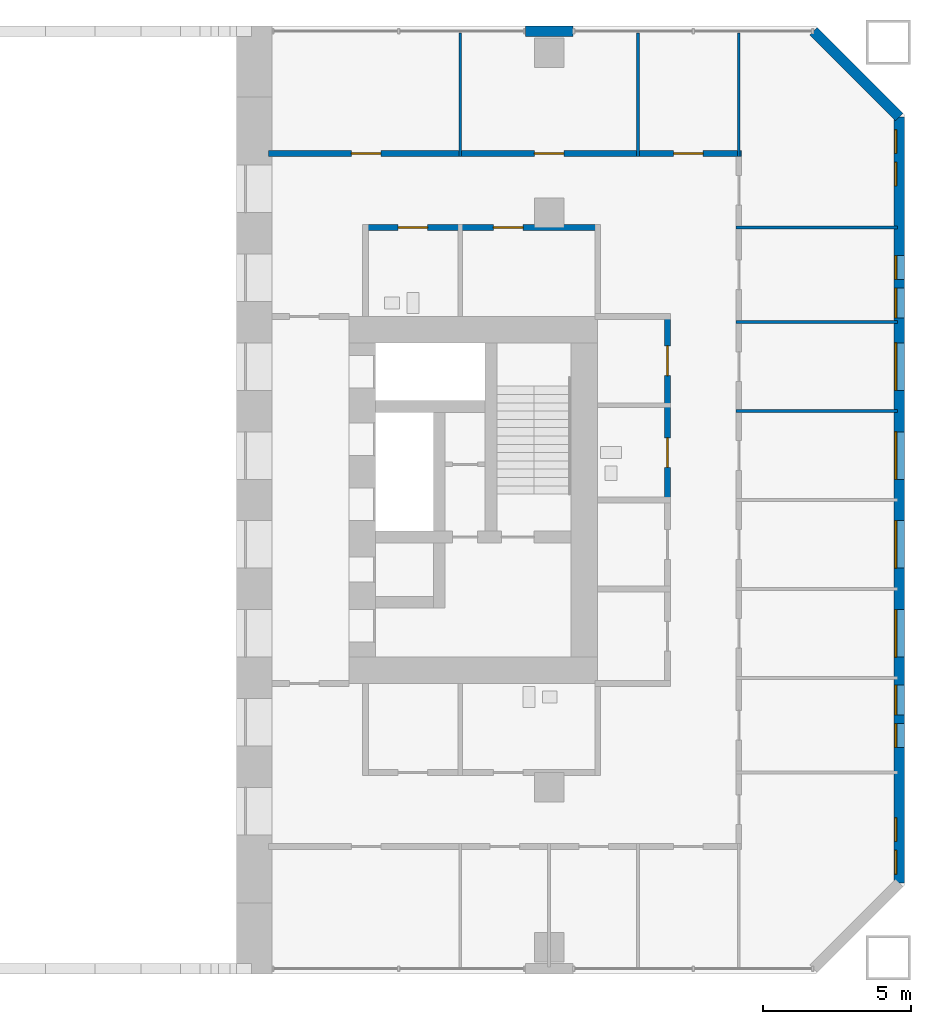
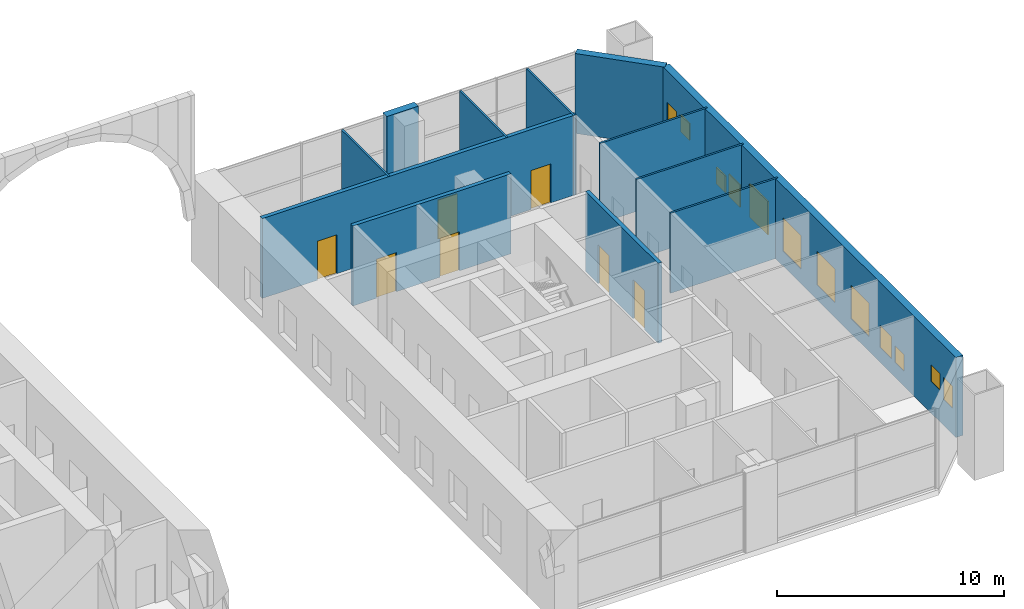
# One storey, part 18 of 21: 12 walls, 12 windows, 7 doors, 19 openings.
"""IFC4 building model written with IfcOpenShell, lengths in metres."""

from ifc_helpers import new_model, si_unit, direction, frame, frame_2d, origin, place, context, subcontext, project, spatial, rectangle, extrude, material, layer, layer_set, type_object, element, fill, save


model = new_model("IFC4")

# Units and contexts
model_context = context("Model", 3, precision=1e-05, world=origin(), true_north=direction((0.0, 1.0)))
body_context = subcontext(model_context, "Body", "Model", "MODEL_VIEW")
ifc_project = project(units=[si_unit("LENGTHUNIT", "METRE"), si_unit("AREAUNIT", "SQUARE_METRE"), si_unit("VOLUMEUNIT", "CUBIC_METRE"), si_unit("PLANEANGLEUNIT", "RADIAN"), si_unit("MASSUNIT", "GRAM", prefix="KILO")], contexts=[model_context])

# Site, building, storey
site_placement = place(None, origin())
site = spatial("IfcSite", under=ifc_project, at=site_placement, CompositionType="ELEMENT")
building_placement = place(site_placement, origin())
building = spatial("IfcBuilding", under=site, at=building_placement, Name="Tuart Gate Housing", CompositionType="ELEMENT")
storey_placement = place(building_placement, frame((0.0, 0.0, 5.5)))
storey = spatial("IfcBuildingStorey", under=building, at=storey_placement, Name="L01", CompositionType="ELEMENT", Elevation=5.5)

# Wall, openings, windows
ifc_material_1 = material(Name="Brick", Category="masonry")
ifc_layer_1 = layer(ifc_material_1, 0.360107421875)
ifc_layer_set_1 = layer_set([ifc_layer_1], Name="Brick pier and spandrel wall 360")
wall_type_1 = type_object("IfcWallType", Name="Brick pier and spandrel wall 360", PredefinedType="STANDARD", material=ifc_layer_set_1)
wall_1_placement = place(storey_placement, frame((178.820068359375, 57.07470703125, 0.0), z_axis=(0.0, 0.0, 1.0), x_axis=(0.0, 1.0, 0.0)))
wall_1 = element("IfcWall", 1, at=wall_1_placement, inside=storey, type_object=wall_type_1, Name="External wall B-E L01", PredefinedType="STANDARD", context=body_context, shape_type="SweptSolid", body=[
    extrude(rectangle(XDim=25.850830078125, YDim=0.360107421875, at=frame_2d((12.92529296875, 0.0))), origin(), (0.0, 0.0, 1.0), 4.300048828125),
])
opening_1_placement = place(wall_1_placement, frame((0.300048828125, 0.0, 1.39990234375)))
opening_1 = element("IfcOpeningElement", 2, at=opening_1_placement, cuts=wall_1, Name="Opening W1P", PredefinedType="OPENING", context=body_context, shape_type="SweptSolid", body=[
    extrude(rectangle(XDim=0.800048828125, YDim=1.199951171875, at=frame_2d((0.39990234375, 0.60009765625))), frame((0.0, 0.18994140625, 0.0), z_axis=(0.0, -1.0, 0.0), x_axis=(1.0, 0.0, 0.0)), (0.0, 0.0, 1.0), 0.380126953125),
])
opening_2_placement = place(wall_1_placement, frame((4.575439453125, 0.0, 0.800048828125)))
opening_2 = element("IfcOpeningElement", 3, at=opening_2_placement, cuts=wall_1, Name="Opening W1V", PredefinedType="OPENING", context=body_context, shape_type="SweptSolid", body=[
    extrude(rectangle(XDim=0.800048828125, YDim=0.89990234375, at=frame_2d((0.39990234375, 0.449951171875))), frame((0.0, 0.18994140625, 0.0), z_axis=(0.0, -1.0, 0.0), x_axis=(1.0, 0.0, 0.0)), (0.0, 0.0, 1.0), 0.380126953125),
])
opening_3_placement = place(wall_1_placement, frame((7.62548828125, 0.0, 0.800048828125)))
opening_3 = element("IfcOpeningElement", 4, at=opening_3_placement, cuts=wall_1, Name="Opening W1", PredefinedType="OPENING", context=body_context, shape_type="SweptSolid", body=[
    extrude(rectangle(XDim=1.60009765625, YDim=1.800048828125, at=frame_2d((0.800048828125, 0.89990234375))), frame((0.0, 0.18994140625, 0.0), z_axis=(0.0, -1.0, 0.0), x_axis=(1.0, 0.0, 0.0)), (0.0, 0.0, 1.0), 0.380126953125),
])
opening_4_placement = place(wall_1_placement, frame((10.62548828125, 0.0, 0.800048828125)))
opening_4 = element("IfcOpeningElement", 5, at=opening_4_placement, cuts=wall_1, Name="Opening W1", PredefinedType="OPENING", context=body_context, shape_type="SweptSolid", body=[
    extrude(rectangle(XDim=1.60009765625, YDim=1.800048828125, at=frame_2d((0.800048828125, 0.89990234375))), frame((0.0, 0.18994140625, 0.0), z_axis=(0.0, -1.0, 0.0), x_axis=(1.0, 0.0, 0.0)), (0.0, 0.0, 1.0), 0.380126953125),
])
opening_5_placement = place(wall_1_placement, frame((13.62548828125, 0.0, 0.800048828125)))
opening_5 = element("IfcOpeningElement", 6, at=opening_5_placement, cuts=wall_1, Name="Opening W1", PredefinedType="OPENING", context=body_context, shape_type="SweptSolid", body=[
    extrude(rectangle(XDim=1.60009765625, YDim=1.800048828125, at=frame_2d((0.800048828125, 0.89990234375))), frame((0.0, 0.18994140625, 0.0), z_axis=(0.0, -1.0, 0.0), x_axis=(1.0, 0.0, 0.0)), (0.0, 0.0, 1.0), 0.380126953125),
])
opening_6_placement = place(wall_1_placement, frame((16.62548828125, 0.0, 0.800048828125)))
opening_6 = element("IfcOpeningElement", 7, at=opening_6_placement, cuts=wall_1, Name="Opening W1", PredefinedType="OPENING", context=body_context, shape_type="SweptSolid", body=[
    extrude(rectangle(XDim=1.60009765625, YDim=1.800048828125, at=frame_2d((0.800048828125, 0.89990234375))), frame((0.0, 0.18994140625, 0.0), z_axis=(0.0, -1.0, 0.0), x_axis=(1.0, 0.0, 0.0)), (0.0, 0.0, 1.0), 0.380126953125),
])
opening_7_placement = place(wall_1_placement, frame((19.075439453125, 0.0, 0.800048828125)))
opening_7 = element("IfcOpeningElement", 8, at=opening_7_placement, cuts=wall_1, Name="Opening W1O", PredefinedType="OPENING", context=body_context, shape_type="SweptSolid", body=[
    extrude(rectangle(XDim=1.0, YDim=1.199951171875, at=frame_2d((0.5, 0.60009765625))), frame((0.0, 0.18994140625, 0.0), z_axis=(0.0, -1.0, 0.0), x_axis=(1.0, 0.0, 0.0)), (0.0, 0.0, 1.0), 0.380126953125),
])
opening_8_placement = place(wall_1_placement, frame((23.525390625, 0.0, 1.699951171875)))
opening_8 = element("IfcOpeningElement", 9, at=opening_8_placement, cuts=wall_1, Name="Opening W1V", PredefinedType="OPENING", context=body_context, shape_type="SweptSolid", body=[
    extrude(rectangle(XDim=0.800048828125, YDim=0.89990234375, at=frame_2d((0.39990234375, 0.449951171875))), frame((0.0, 0.18994140625, 0.0), z_axis=(0.0, -1.0, 0.0), x_axis=(1.0, 0.0, 0.0)), (0.0, 0.0, 1.0), 0.380126953125),
])
opening_9_placement = place(wall_1_placement, frame((1.39990234375, 0.0, 1.699951171875)))
opening_9 = element("IfcOpeningElement", 10, at=opening_9_placement, cuts=wall_1, Name="Opening W1V", PredefinedType="OPENING", context=body_context, shape_type="SweptSolid", body=[
    extrude(rectangle(XDim=0.800048828125, YDim=0.89990234375, at=frame_2d((0.39990234375, 0.449951171875))), frame((0.0, 0.18994140625, 0.0), z_axis=(0.0, -1.0, 0.0), x_axis=(1.0, 0.0, 0.0)), (0.0, 0.0, 1.0), 0.380126953125),
])
opening_10_placement = place(wall_1_placement, frame((5.67529296875, 0.0, 0.800048828125)))
opening_10 = element("IfcOpeningElement", 11, at=opening_10_placement, cuts=wall_1, Name="Opening W1O", PredefinedType="OPENING", context=body_context, shape_type="SweptSolid", body=[
    extrude(rectangle(XDim=1.0, YDim=1.199951171875, at=frame_2d((0.5, 0.60009765625))), frame((0.0, 0.18994140625, 0.0), z_axis=(0.0, -1.0, 0.0), x_axis=(1.0, 0.0, 0.0)), (0.0, 0.0, 1.0), 0.380126953125),
])
opening_11_placement = place(wall_1_placement, frame((20.37548828125, 0.0, 0.800048828125)))
opening_11 = element("IfcOpeningElement", 12, at=opening_11_placement, cuts=wall_1, Name="Opening W1V", PredefinedType="OPENING", context=body_context, shape_type="SweptSolid", body=[
    extrude(rectangle(XDim=0.800048828125, YDim=0.89990234375, at=frame_2d((0.39990234375, 0.449951171875))), frame((0.0, 0.18994140625, 0.0), z_axis=(0.0, -1.0, 0.0), x_axis=(1.0, 0.0, 0.0)), (0.0, 0.0, 1.0), 0.380126953125),
])
opening_12_placement = place(wall_1_placement, frame((24.62548828125, 0.0, 1.39990234375)))
opening_12 = element("IfcOpeningElement", 13, at=opening_12_placement, cuts=wall_1, Name="Opening W1P", PredefinedType="OPENING", context=body_context, shape_type="SweptSolid", body=[
    extrude(rectangle(XDim=0.800048828125, YDim=1.199951171875, at=frame_2d((0.39990234375, 0.60009765625))), frame((0.0, 0.18994140625, 0.0), z_axis=(0.0, -1.0, 0.0), x_axis=(1.0, 0.0, 0.0)), (0.0, 0.0, 1.0), 0.380126953125),
])
ifc_material_2 = material(Name="Aluminium frame with clear glass", Category="aluminium")
window_type_1 = type_object("IfcWindowType", Name="Punched window 1000 x 1200", PartitioningType="SINGLE_PANEL", PredefinedType="WINDOW", material=ifc_material_2)
window_1_placement = place(opening_7_placement, origin())
window_1 = element("IfcWindow", 14, at=window_1_placement, inside=storey, type_object=window_type_1, Name="Window W1O", OverallHeight=1.199951171875, OverallWidth=1.0, PartitioningType="SINGLE_PANEL", PredefinedType="WINDOW", context=body_context, shape_type="SweptSolid", body=[
    extrude(rectangle(XDim=1.0, YDim=1.199951171875, at=frame_2d((0.5, 0.60009765625))), frame((0.0, 0.150146484375, 0.0), z_axis=(0.0, -1.0, 0.0), x_axis=(1.0, 0.0, 0.0)), (0.0, 0.0, 1.0), 0.06005859375),
])
fill(opening_7, window_1)
window_2_placement = place(opening_10_placement, origin())
window_2 = element("IfcWindow", 15, at=window_2_placement, inside=storey, type_object=window_type_1, Name="Window W1O", OverallHeight=1.199951171875, OverallWidth=1.0, PartitioningType="SINGLE_PANEL", PredefinedType="WINDOW", context=body_context, shape_type="SweptSolid", body=[
    extrude(rectangle(XDim=1.0, YDim=1.199951171875, at=frame_2d((0.5, 0.60009765625))), frame((0.0, 0.150146484375, 0.0), z_axis=(0.0, -1.0, 0.0), x_axis=(1.0, 0.0, 0.0)), (0.0, 0.0, 1.0), 0.06005859375),
])
fill(opening_10, window_2)
ifc_material_3 = material(Name="Aluminium frame with clear glass", Category="aluminium")
window_type_2 = type_object("IfcWindowType", Name="Punched window 1600 x 1800", PartitioningType="SINGLE_PANEL", PredefinedType="WINDOW", material=ifc_material_3)
window_3_placement = place(opening_3_placement, origin())
window_3 = element("IfcWindow", 16, at=window_3_placement, inside=storey, type_object=window_type_2, Name="Window W1", OverallHeight=1.800048828125, OverallWidth=1.60009765625, PartitioningType="SINGLE_PANEL", PredefinedType="WINDOW", context=body_context, shape_type="SweptSolid", body=[
    extrude(rectangle(XDim=1.60009765625, YDim=1.800048828125, at=frame_2d((0.800048828125, 0.89990234375))), frame((0.0, 0.150146484375, 0.0), z_axis=(0.0, -1.0, 0.0), x_axis=(1.0, 0.0, 0.0)), (0.0, 0.0, 1.0), 0.06005859375),
])
fill(opening_3, window_3)
window_4_placement = place(opening_4_placement, origin())
window_4 = element("IfcWindow", 17, at=window_4_placement, inside=storey, type_object=window_type_2, Name="Window W1", OverallHeight=1.800048828125, OverallWidth=1.60009765625, PartitioningType="SINGLE_PANEL", PredefinedType="WINDOW", context=body_context, shape_type="SweptSolid", body=[
    extrude(rectangle(XDim=1.60009765625, YDim=1.800048828125, at=frame_2d((0.800048828125, 0.89990234375))), frame((0.0, 0.150146484375, 0.0), z_axis=(0.0, -1.0, 0.0), x_axis=(1.0, 0.0, 0.0)), (0.0, 0.0, 1.0), 0.06005859375),
])
fill(opening_4, window_4)
window_5_placement = place(opening_5_placement, origin())
window_5 = element("IfcWindow", 18, at=window_5_placement, inside=storey, type_object=window_type_2, Name="Window W1", OverallHeight=1.800048828125, OverallWidth=1.60009765625, PartitioningType="SINGLE_PANEL", PredefinedType="WINDOW", context=body_context, shape_type="SweptSolid", body=[
    extrude(rectangle(XDim=1.60009765625, YDim=1.800048828125, at=frame_2d((0.800048828125, 0.89990234375))), frame((0.0, 0.150146484375, 0.0), z_axis=(0.0, -1.0, 0.0), x_axis=(1.0, 0.0, 0.0)), (0.0, 0.0, 1.0), 0.06005859375),
])
fill(opening_5, window_5)
window_6_placement = place(opening_6_placement, origin())
window_6 = element("IfcWindow", 19, at=window_6_placement, inside=storey, type_object=window_type_2, Name="Window W1", OverallHeight=1.800048828125, OverallWidth=1.60009765625, PartitioningType="SINGLE_PANEL", PredefinedType="WINDOW", context=body_context, shape_type="SweptSolid", body=[
    extrude(rectangle(XDim=1.60009765625, YDim=1.800048828125, at=frame_2d((0.800048828125, 0.89990234375))), frame((0.0, 0.150146484375, 0.0), z_axis=(0.0, -1.0, 0.0), x_axis=(1.0, 0.0, 0.0)), (0.0, 0.0, 1.0), 0.06005859375),
])
fill(opening_6, window_6)
ifc_material_4 = material(Name="Aluminium frame with clear glass", Category="aluminium")
window_type_3 = type_object("IfcWindowType", Name="Punched window 800 x 1200", PartitioningType="SINGLE_PANEL", PredefinedType="WINDOW", material=ifc_material_4)
window_7_placement = place(opening_1_placement, origin())
window_7 = element("IfcWindow", 20, at=window_7_placement, inside=storey, type_object=window_type_3, Name="Window W1P", OverallHeight=1.199951171875, OverallWidth=0.800048828125, PartitioningType="SINGLE_PANEL", PredefinedType="WINDOW", context=body_context, shape_type="SweptSolid", body=[
    extrude(rectangle(XDim=0.800048828125, YDim=1.199951171875, at=frame_2d((0.39990234375, 0.60009765625))), frame((0.0, 0.150146484375, 0.0), z_axis=(0.0, -1.0, 0.0), x_axis=(1.0, 0.0, 0.0)), (0.0, 0.0, 1.0), 0.06005859375),
])
fill(opening_1, window_7)
window_8_placement = place(opening_12_placement, origin())
window_8 = element("IfcWindow", 21, at=window_8_placement, inside=storey, type_object=window_type_3, Name="Window W1P", OverallHeight=1.199951171875, OverallWidth=0.800048828125, PartitioningType="SINGLE_PANEL", PredefinedType="WINDOW", context=body_context, shape_type="SweptSolid", body=[
    extrude(rectangle(XDim=0.800048828125, YDim=1.199951171875, at=frame_2d((0.39990234375, 0.60009765625))), frame((0.0, 0.150146484375, 0.0), z_axis=(0.0, -1.0, 0.0), x_axis=(1.0, 0.0, 0.0)), (0.0, 0.0, 1.0), 0.06005859375),
])
fill(opening_12, window_8)
ifc_material_5 = material(Name="Aluminium frame with clear glass", Category="aluminium")
window_type_4 = type_object("IfcWindowType", Name="Punched window 800 x 900", PartitioningType="SINGLE_PANEL", PredefinedType="WINDOW", material=ifc_material_5)
window_9_placement = place(opening_2_placement, origin())
window_9 = element("IfcWindow", 22, at=window_9_placement, inside=storey, type_object=window_type_4, Name="Window W1V", OverallHeight=0.89990234375, OverallWidth=0.800048828125, PartitioningType="SINGLE_PANEL", PredefinedType="WINDOW", context=body_context, shape_type="SweptSolid", body=[
    extrude(rectangle(XDim=0.800048828125, YDim=0.89990234375, at=frame_2d((0.39990234375, 0.449951171875))), frame((0.0, 0.150146484375, 0.0), z_axis=(0.0, -1.0, 0.0), x_axis=(1.0, 0.0, 0.0)), (0.0, 0.0, 1.0), 0.06005859375),
])
fill(opening_2, window_9)
window_10_placement = place(opening_8_placement, origin())
window_10 = element("IfcWindow", 23, at=window_10_placement, inside=storey, type_object=window_type_4, Name="Window W1V", OverallHeight=0.89990234375, OverallWidth=0.800048828125, PartitioningType="SINGLE_PANEL", PredefinedType="WINDOW", context=body_context, shape_type="SweptSolid", body=[
    extrude(rectangle(XDim=0.800048828125, YDim=0.89990234375, at=frame_2d((0.39990234375, 0.449951171875))), frame((0.0, 0.150146484375, 0.0), z_axis=(0.0, -1.0, 0.0), x_axis=(1.0, 0.0, 0.0)), (0.0, 0.0, 1.0), 0.06005859375),
])
fill(opening_8, window_10)
window_11_placement = place(opening_9_placement, origin())
window_11 = element("IfcWindow", 24, at=window_11_placement, inside=storey, type_object=window_type_4, Name="Window W1V", OverallHeight=0.89990234375, OverallWidth=0.800048828125, PartitioningType="SINGLE_PANEL", PredefinedType="WINDOW", context=body_context, shape_type="SweptSolid", body=[
    extrude(rectangle(XDim=0.800048828125, YDim=0.89990234375, at=frame_2d((0.39990234375, 0.449951171875))), frame((0.0, 0.150146484375, 0.0), z_axis=(0.0, -1.0, 0.0), x_axis=(1.0, 0.0, 0.0)), (0.0, 0.0, 1.0), 0.06005859375),
])
fill(opening_9, window_11)
window_12_placement = place(opening_11_placement, origin())
window_12 = element("IfcWindow", 25, at=window_12_placement, inside=storey, type_object=window_type_4, Name="Window W1V", OverallHeight=0.89990234375, OverallWidth=0.800048828125, PartitioningType="SINGLE_PANEL", PredefinedType="WINDOW", context=body_context, shape_type="SweptSolid", body=[
    extrude(rectangle(XDim=0.800048828125, YDim=0.89990234375, at=frame_2d((0.39990234375, 0.449951171875))), frame((0.0, 0.150146484375, 0.0), z_axis=(0.0, -1.0, 0.0), x_axis=(1.0, 0.0, 0.0)), (0.0, 0.0, 1.0), 0.06005859375),
])
fill(opening_11, window_12)

# Walls
wall_2_placement = place(storey_placement, frame((178.820068359375, 82.92529296875, 0.0), z_axis=(0.0, 0.0, 1.0), x_axis=(-0.707106781187, 0.707106781187, 0.0)))
element("IfcWall", 26, at=wall_2_placement, inside=storey, type_object=wall_type_1, Name="External wall B-NE L01", PredefinedType="STANDARD", context=body_context, shape_type="SweptSolid", body=[
    extrude(rectangle(XDim=4.09375, YDim=0.360107421875, at=frame_2d((2.046875, 0.0))), origin(), (0.0, 0.0, 1.0), 4.300048828125),
])
wall_3_placement = place(storey_placement, frame((167.800048828125, 85.820068359375, 0.0), z_axis=(0.0, 0.0, 1.0), x_axis=(-1.0, 0.0, 0.0)))
element("IfcWall", 27, at=wall_3_placement, inside=storey, type_object=wall_type_1, Name="External wall B-N L01", PredefinedType="STANDARD", context=body_context, shape_type="SweptSolid", body=[
    extrude(rectangle(XDim=1.60009765625, YDim=0.360107421875, at=frame_2d((0.800048828125, 0.0))), origin(), (0.0, 0.0, 1.0), 4.300048828125),
])

# Wall, openings, doors
ifc_material_6 = material(Name="Concrete masonry 15 MPa", Category="masonry")
ifc_layer_2 = layer(ifc_material_6, 0.199951171875)
ifc_layer_set_2 = layer_set([ifc_layer_2], Name="Corridor wall masonry 200")
wall_type_2 = type_object("IfcWallType", Name="Corridor wall masonry 200", PredefinedType="PARTITIONING", material=ifc_layer_set_2)
wall_4_placement = place(storey_placement, frame((160.699951171875, 79.199951171875, 0.0), z_axis=(0.0, 0.0, 1.0), x_axis=(1.0, 0.0, 0.0)))
wall_4 = element("IfcWall", 28, at=wall_4_placement, inside=storey, type_object=wall_type_2, Name="Corridor wall masonry 200", PredefinedType="PARTITIONING", context=body_context, shape_type="SweptSolid", body=[
    extrude(rectangle(XDim=8.0400390625, YDim=0.199951171875, at=frame_2d((4.02001953125, 0.0))), origin(), (0.0, 0.0, 1.0), 4.300048828125),
])
opening_13_placement = place(wall_4_placement, frame((1.199951171875, 0.0, 0.0)))
opening_13 = element("IfcOpeningElement", 29, at=opening_13_placement, cuts=wall_4, Name="Opening D3138", PredefinedType="OPENING", context=body_context, shape_type="SweptSolid", body=[
    extrude(rectangle(XDim=1.0, YDim=2.10009765625, at=frame_2d((0.5, 1.050048828125))), frame((0.0, 0.10986328125, 0.0), z_axis=(0.0, -1.0, 0.0), x_axis=(1.0, 0.0, 0.0)), (0.0, 0.0, 1.0), 0.219970703125),
])
opening_14_placement = place(wall_4_placement, frame((4.419921875, 0.0, 0.0)))
opening_14 = element("IfcOpeningElement", 30, at=opening_14_placement, cuts=wall_4, Name="Opening D3139", PredefinedType="OPENING", context=body_context, shape_type="SweptSolid", body=[
    extrude(rectangle(XDim=1.0, YDim=2.10009765625, at=frame_2d((0.5, 1.050048828125))), frame((0.0, 0.10986328125, 0.0), z_axis=(0.0, -1.0, 0.0), x_axis=(1.0, 0.0, 0.0)), (0.0, 0.0, 1.0), 0.219970703125),
])
ifc_material_7 = material(Name="Timber door leaf in steel frame", Category="steel")
door_type_1 = type_object("IfcDoorType", Name="Fire door 1000 RH", OperationType="SINGLE_SWING_RIGHT", PredefinedType="DOOR", material=ifc_material_7)
door_1_placement = place(opening_13_placement, frame((1.0, 0.0, 0.0), z_axis=(0.0, 0.0, 1.0), x_axis=(-1.0, 0.0, 0.0)))
door_1 = element("IfcDoor", 31, at=door_1_placement, inside=storey, type_object=door_type_1, Name="Fire door 1000", OperationType="SINGLE_SWING_RIGHT", OverallHeight=2.10009765625, OverallWidth=1.0, PredefinedType="DOOR", context=body_context, shape_type="SweptSolid", body=[
    extrude(rectangle(XDim=1.0, YDim=2.10009765625, at=frame_2d((0.5, 1.050048828125))), frame((0.0, 0.025146484375, 0.0), z_axis=(0.0, -1.0, 0.0), x_axis=(1.0, 0.0, 0.0)), (0.0, 0.0, 1.0), 0.050048828125),
])
fill(opening_13, door_1)
door_2_placement = place(opening_14_placement, frame((1.0, 0.0, 0.0), z_axis=(0.0, 0.0, 1.0), x_axis=(-1.0, 0.0, 0.0)))
door_2 = element("IfcDoor", 32, at=door_2_placement, inside=storey, type_object=door_type_1, Name="Fire door 1000", OperationType="SINGLE_SWING_RIGHT", OverallHeight=2.10009765625, OverallWidth=1.0, PredefinedType="DOOR", context=body_context, shape_type="SweptSolid", body=[
    extrude(rectangle(XDim=1.0, YDim=2.10009765625, at=frame_2d((0.5, 1.050048828125))), frame((0.0, 0.025146484375, 0.0), z_axis=(0.0, -1.0, 0.0), x_axis=(1.0, 0.0, 0.0)), (0.0, 0.0, 1.0), 0.050048828125),
])
fill(opening_14, door_2)

wall_5_placement = place(storey_placement, frame((157.530029296875, 81.699951171875, 0.0), z_axis=(0.0, 0.0, 1.0), x_axis=(1.0, 0.0, 0.0)))
wall_5 = element("IfcWall", 33, at=wall_5_placement, inside=storey, type_object=wall_type_2, Name="Corridor wall masonry 200", PredefinedType="PARTITIONING", context=body_context, shape_type="SweptSolid", body=[
    extrude(rectangle(XDim=15.969970703125, YDim=0.199951171875, at=frame_2d((7.98486328125, 0.0))), origin(), (0.0, 0.0, 1.0), 4.300048828125),
])
opening_15_placement = place(wall_5_placement, frame((2.794921875, 0.0, 0.0)))
opening_15 = element("IfcOpeningElement", 34, at=opening_15_placement, cuts=wall_5, Name="Opening D3133", PredefinedType="OPENING", context=body_context, shape_type="SweptSolid", body=[
    extrude(rectangle(XDim=1.0, YDim=2.10009765625, at=frame_2d((0.5, 1.050048828125))), frame((0.0, 0.10986328125, 0.0), z_axis=(0.0, -1.0, 0.0), x_axis=(1.0, 0.0, 0.0)), (0.0, 0.0, 1.0), 0.219970703125),
])
opening_16_placement = place(wall_5_placement, frame((8.969970703125, 0.0, 0.0)))
opening_16 = element("IfcOpeningElement", 35, at=opening_16_placement, cuts=wall_5, Name="Opening D3134", PredefinedType="OPENING", context=body_context, shape_type="SweptSolid", body=[
    extrude(rectangle(XDim=1.0, YDim=2.10009765625, at=frame_2d((0.5, 1.050048828125))), frame((0.0, 0.10986328125, 0.0), z_axis=(0.0, -1.0, 0.0), x_axis=(1.0, 0.0, 0.0)), (0.0, 0.0, 1.0), 0.219970703125),
])
opening_17_placement = place(wall_5_placement, frame((13.669921875, 0.0, 0.0)))
opening_17 = element("IfcOpeningElement", 36, at=opening_17_placement, cuts=wall_5, Name="Opening D3135", PredefinedType="OPENING", context=body_context, shape_type="SweptSolid", body=[
    extrude(rectangle(XDim=1.0, YDim=2.10009765625, at=frame_2d((0.5, 1.050048828125))), frame((0.0, 0.10986328125, 0.0), z_axis=(0.0, -1.0, 0.0), x_axis=(1.0, 0.0, 0.0)), (0.0, 0.0, 1.0), 0.219970703125),
])
ifc_material_8 = material(Name="Timber door leaf in steel frame", Category="steel")
door_type_2 = type_object("IfcDoorType", Name="Fire door 1000", OperationType="SINGLE_SWING_LEFT", PredefinedType="DOOR", material=ifc_material_8)
door_3_placement = place(opening_15_placement, origin())
door_3 = element("IfcDoor", 37, at=door_3_placement, inside=storey, type_object=door_type_2, Name="Fire door 1000", OperationType="SINGLE_SWING_LEFT", OverallHeight=2.10009765625, OverallWidth=1.0, PredefinedType="DOOR", context=body_context, shape_type="SweptSolid", body=[
    extrude(rectangle(XDim=1.0, YDim=2.10009765625, at=frame_2d((0.5, 1.050048828125))), frame((0.0, 0.02490234375, 0.0), z_axis=(0.0, -1.0, 0.0), x_axis=(1.0, 0.0, 0.0)), (0.0, 0.0, 1.0), 0.050048828125),
])
fill(opening_15, door_3)
door_4_placement = place(opening_16_placement, origin())
door_4 = element("IfcDoor", 38, at=door_4_placement, inside=storey, type_object=door_type_2, Name="Fire door 1000", OperationType="SINGLE_SWING_LEFT", OverallHeight=2.10009765625, OverallWidth=1.0, PredefinedType="DOOR", context=body_context, shape_type="SweptSolid", body=[
    extrude(rectangle(XDim=1.0, YDim=2.10009765625, at=frame_2d((0.5, 1.050048828125))), frame((0.0, 0.02490234375, 0.0), z_axis=(0.0, -1.0, 0.0), x_axis=(1.0, 0.0, 0.0)), (0.0, 0.0, 1.0), 0.050048828125),
])
fill(opening_16, door_4)
door_5_placement = place(opening_17_placement, origin())
door_5 = element("IfcDoor", 39, at=door_5_placement, inside=storey, type_object=door_type_2, Name="Fire door 1000", OperationType="SINGLE_SWING_LEFT", OverallHeight=2.10009765625, OverallWidth=1.0, PredefinedType="DOOR", context=body_context, shape_type="SweptSolid", body=[
    extrude(rectangle(XDim=1.0, YDim=2.10009765625, at=frame_2d((0.5, 1.050048828125))), frame((0.0, 0.02490234375, 0.0), z_axis=(0.0, -1.0, 0.0), x_axis=(1.0, 0.0, 0.0)), (0.0, 0.0, 1.0), 0.050048828125),
])
fill(opening_17, door_5)

wall_6_placement = place(storey_placement, frame((171.0, 69.89990234375, 0.0), z_axis=(0.0, 0.0, 1.0), x_axis=(0.0, 1.0, 0.0)))
wall_6 = element("IfcWall", 40, at=wall_6_placement, inside=storey, type_object=wall_type_2, Name="Corridor wall masonry 200", PredefinedType="PARTITIONING", context=body_context, shape_type="SweptSolid", body=[
    extrude(rectangle(XDim=6.400146484375, YDim=0.199951171875, at=frame_2d((3.2001953125, 0.0))), origin(), (0.0, 0.0, 1.0), 4.300048828125),
])
opening_18_placement = place(wall_6_placement, frame((1.199951171875, 0.0, 0.0)))
opening_18 = element("IfcOpeningElement", 41, at=opening_18_placement, cuts=wall_6, Name="Opening D3143", PredefinedType="OPENING", context=body_context, shape_type="SweptSolid", body=[
    extrude(rectangle(XDim=1.0, YDim=2.10009765625, at=frame_2d((0.5, 1.050048828125))), frame((0.0, 0.10986328125, 0.0), z_axis=(0.0, -1.0, 0.0), x_axis=(1.0, 0.0, 0.0)), (0.0, 0.0, 1.0), 0.219970703125),
])
opening_19_placement = place(wall_6_placement, frame((4.300048828125, 0.0, 0.0)))
opening_19 = element("IfcOpeningElement", 42, at=opening_19_placement, cuts=wall_6, Name="Opening D3144", PredefinedType="OPENING", context=body_context, shape_type="SweptSolid", body=[
    extrude(rectangle(XDim=1.0, YDim=2.10009765625, at=frame_2d((0.5, 1.050048828125))), frame((0.0, 0.10986328125, 0.0), z_axis=(0.0, -1.0, 0.0), x_axis=(1.0, 0.0, 0.0)), (0.0, 0.0, 1.0), 0.219970703125),
])
door_6_placement = place(opening_18_placement, origin())
door_6 = element("IfcDoor", 43, at=door_6_placement, inside=storey, type_object=door_type_2, Name="Fire door 1000", OperationType="SINGLE_SWING_LEFT", OverallHeight=2.10009765625, OverallWidth=1.0, PredefinedType="DOOR", context=body_context, shape_type="SweptSolid", body=[
    extrude(rectangle(XDim=1.0, YDim=2.10009765625, at=frame_2d((0.5, 1.050048828125))), frame((0.0, 0.02490234375, 0.0), z_axis=(0.0, -1.0, 0.0), x_axis=(1.0, 0.0, 0.0)), (0.0, 0.0, 1.0), 0.050048828125),
])
fill(opening_18, door_6)
door_7_placement = place(opening_19_placement, origin())
door_7 = element("IfcDoor", 44, at=door_7_placement, inside=storey, type_object=door_type_2, Name="Fire door 1000", OperationType="SINGLE_SWING_LEFT", OverallHeight=2.10009765625, OverallWidth=1.0, PredefinedType="DOOR", context=body_context, shape_type="SweptSolid", body=[
    extrude(rectangle(XDim=1.0, YDim=2.10009765625, at=frame_2d((0.5, 1.050048828125))), frame((0.0, 0.02490234375, 0.0), z_axis=(0.0, -1.0, 0.0), x_axis=(1.0, 0.0, 0.0)), (0.0, 0.0, 1.0), 0.050048828125),
])
fill(opening_19, door_7)

# Walls
ifc_material_9 = material(Name="Gypsum board on steel studs", Category="steel")
ifc_layer_3 = layer(ifc_material_9, 0.10009765625)
ifc_layer_set_3 = layer_set([ifc_layer_3], Name="Partition 100")
wall_type_3 = type_object("IfcWallType", Name="Partition 100", PredefinedType="PARTITIONING", material=ifc_layer_set_3)
for number, where, z_axis, x_axis, name in (
    (45, (173.300048828125, 73.0, 0.0), (0.0, 0.0, 1.0), (1.0, 0.0, 0.0), "Partition 100"),
    (46, (173.300048828125, 76.0, 0.0), (0.0, 0.0, 1.0), (1.0, 0.0, 0.0), "Partition 100"),
    (47, (173.300048828125, 79.199951171875, 0.0), (0.0, 0.0, 1.0), (1.0, 0.0, 0.0), "Partition 100"),
):
    element("IfcWall", number, at=place(storey_placement, frame(where, z_axis=z_axis, x_axis=x_axis)), inside=storey, type_object=wall_type_3, Name=name, PredefinedType="PARTITIONING", context=body_context, shape_type="SweptSolid", body=[
        extrude(rectangle(XDim=5.4599609375, YDim=0.10009765625, at=frame_2d((2.72998046875, 0.0))), origin(), (0.0, 0.0, 1.0), 4.300048828125),
    ])
for number, where, z_axis, x_axis, name in (
    (48, (164.0, 81.60009765625, 0.0), (0.0, 0.0, 1.0), (0.0, 1.0, 0.0), "Partition 100"),
    (49, (170.0, 81.60009765625, 0.0), (0.0, 0.0, 1.0), (0.0, 1.0, 0.0), "Partition 100"),
):
    element("IfcWall", number, at=place(storey_placement, frame(where, z_axis=z_axis, x_axis=x_axis)), inside=storey, type_object=wall_type_3, Name=name, PredefinedType="PARTITIONING", context=body_context, shape_type="SweptSolid", body=[
        extrude(rectangle(XDim=4.159912109375, YDim=0.10009765625, at=frame_2d((2.080078125, 0.0))), origin(), (0.0, 0.0, 1.0), 4.300048828125),
    ])
wall_7_placement = place(storey_placement, frame((173.39990234375, 81.597900390625, 0.0), z_axis=(0.0, 0.0, 1.0), x_axis=(0.0, 1.0, 0.0)))
element("IfcWall", 50, at=wall_7_placement, inside=storey, type_object=wall_type_3, Name="Partition 100", PredefinedType="PARTITIONING", context=body_context, shape_type="SweptSolid", body=[
    extrude(rectangle(XDim=4.162109375, YDim=0.10009765625, at=frame_2d((2.0810546875, 0.0))), origin(), (0.0, 0.0, 1.0), 4.300048828125),
])

save(model, "model.ifc")
